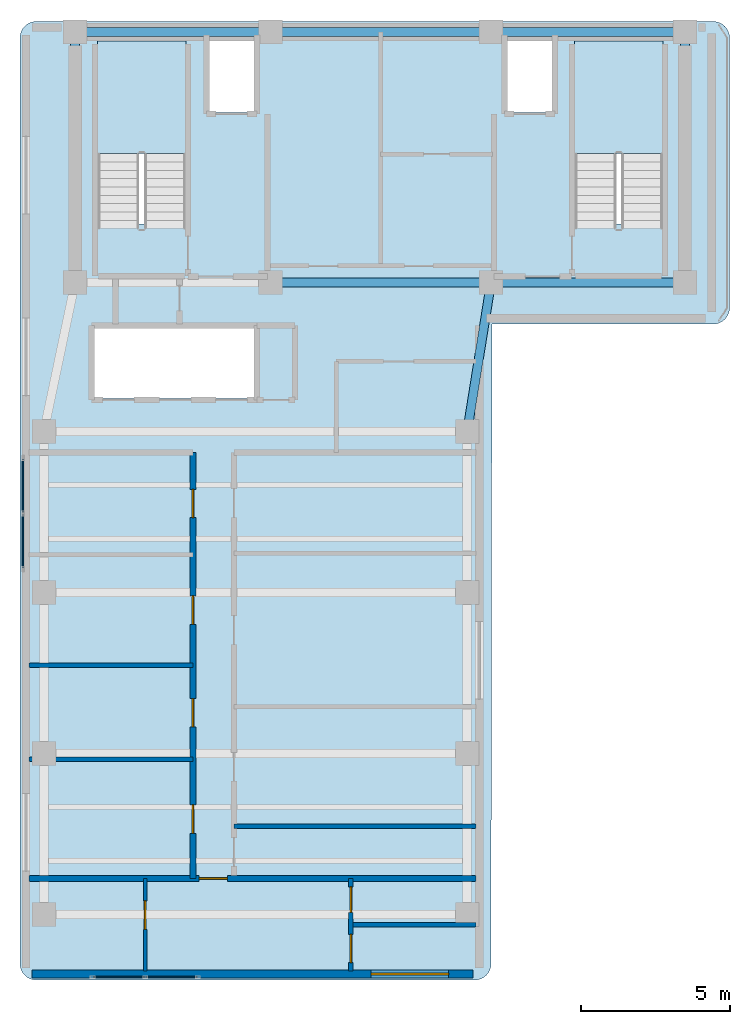
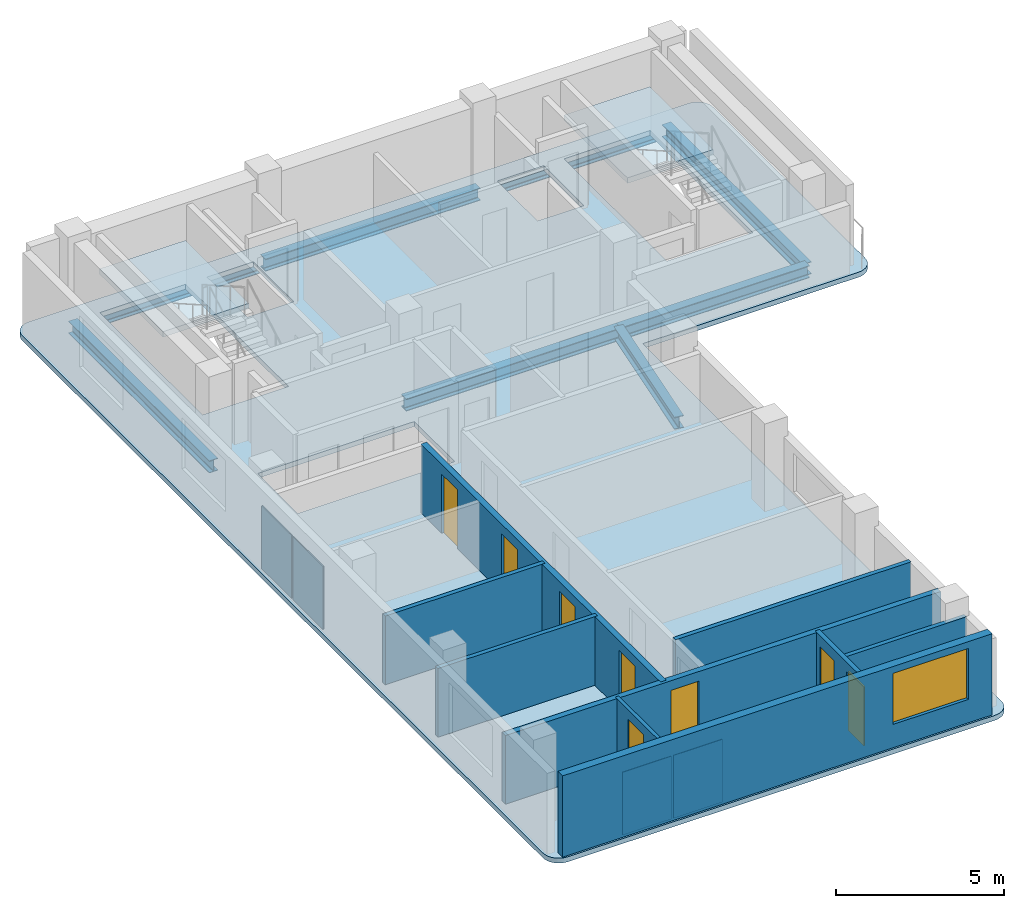
# One storey, part 6 of 9: 9 walls, 8 beams, 8 doors, 4 plates, 3 slabs, 1 window, 9 openings, 4 elements without a shape of their own.
"""IFC4 building model written with IfcOpenShell, lengths in metres."""

from ifc_helpers import new_model, si_unit, direction, frame, frame_2d, origin, origin_2d, place, context, subcontext, project, spatial, polyline, rectangle, i_section, outline, extrude, material, layer, layer_set, material_profile, profile_set, type_object, element, fill, aggregate, save


model = new_model("IFC4")

# Units and contexts
model_context = context("Model", 3, precision=1e-05, world=origin(), true_north=direction((0.0, 1.0)))
body_context = subcontext(model_context, "Body", "Model", "MODEL_VIEW")
ifc_project = project(units=[si_unit("LENGTHUNIT", "METRE"), si_unit("AREAUNIT", "SQUARE_METRE"), si_unit("VOLUMEUNIT", "CUBIC_METRE"), si_unit("PLANEANGLEUNIT", "RADIAN"), si_unit("MASSUNIT", "GRAM", prefix="KILO")], contexts=[model_context])

# Site, building, storey
site_placement = place(None, origin())
site = spatial("IfcSite", under=ifc_project, at=site_placement, CompositionType="ELEMENT")
building_placement = place(site_placement, origin())
building = spatial("IfcBuilding", under=site, at=building_placement, Name="Kuzgunbayir Cultural Tower", CompositionType="ELEMENT")
storey_placement = place(building_placement, frame((0.0, 0.0, 247.199951171875)))
storey = spatial("IfcBuildingStorey", under=building, at=storey_placement, Name="L73", CompositionType="ELEMENT", Elevation=247.199951171875)

# Beams
ifc_material_1 = material(Name="Steel S355J2", Category="steel")
ifc_material_profile = material_profile(ifc_material_1, i_section(OverallWidth=0.300048828125, OverallDepth=0.449951171875, WebThickness=0.013916015625, FlangeThickness=0.02587890625, FilletRadius=0.027099609375, at=origin_2d()), Name="HEB 450")
ifc_profile_set = profile_set([ifc_material_profile], Name="Steel S355J2")
beam_type = type_object("IfcBeamType", Name="BM-GIR-HEB450", PredefinedType="BEAM", material=ifc_profile_set)
beam_1_placement = place(storey_placement, frame((13.0, 33.800048828125, -0.39990234375), z_axis=(1.0, 0.0, 0.0), x_axis=(0.0, 1.0, 0.0)))
element("IfcBeam", 1, at=beam_1_placement, inside=storey, type_object=beam_type, Name="L73 Core South Girder 2", PredefinedType="BEAM", context=body_context, shape_type="SweptSolid", body=[
    extrude(i_section(OverallWidth=0.300048828125, OverallDepth=0.449951171875, WebThickness=0.013916015625, FlangeThickness=0.02587890625, FilletRadius=0.027099609375, at=origin_2d()), origin(), (0.0, 0.0, 1.0), 7.39990234375),
])
beam_2_placement = place(storey_placement, frame((20.39990234375, 33.800048828125, -0.39990234375), z_axis=(1.0, 0.0, 0.0), x_axis=(0.0, 1.0, 0.0)))
element("IfcBeam", 2, at=beam_2_placement, inside=storey, type_object=beam_type, Name="L73 Core South Girder 3", PredefinedType="BEAM", context=body_context, shape_type="SweptSolid", body=[
    extrude(i_section(OverallWidth=0.300048828125, OverallDepth=0.449951171875, WebThickness=0.013916015625, FlangeThickness=0.02587890625, FilletRadius=0.027099609375, at=origin_2d()), origin(), (0.0, 0.0, 1.0), 6.5),
])
beam_3_placement = place(storey_placement, frame((6.449951171875, 42.199951171875, -0.39990234375), z_axis=(1.0, 0.0, 0.0), x_axis=(0.0, 1.0, 0.0)))
element("IfcBeam", 3, at=beam_3_placement, inside=storey, type_object=beam_type, Name="L73 Core North Girder 1", PredefinedType="BEAM", context=body_context, shape_type="SweptSolid", body=[
    extrude(i_section(OverallWidth=0.300048828125, OverallDepth=0.449951171875, WebThickness=0.013916015625, FlangeThickness=0.02587890625, FilletRadius=0.027099609375, at=origin_2d()), origin(), (0.0, 0.0, 1.0), 6.550048828125),
])
beam_4_placement = place(storey_placement, frame((13.0, 42.199951171875, -0.39990234375), z_axis=(1.0, 0.0, 0.0), x_axis=(0.0, 1.0, 0.0)))
element("IfcBeam", 4, at=beam_4_placement, inside=storey, type_object=beam_type, Name="L73 Core North Girder 2", PredefinedType="BEAM", context=body_context, shape_type="SweptSolid", body=[
    extrude(i_section(OverallWidth=0.300048828125, OverallDepth=0.449951171875, WebThickness=0.013916015625, FlangeThickness=0.02587890625, FilletRadius=0.027099609375, at=origin_2d()), origin(), (0.0, 0.0, 1.0), 7.39990234375),
])
beam_5_placement = place(storey_placement, frame((20.39990234375, 42.199951171875, -0.39990234375), z_axis=(1.0, 0.0, 0.0), x_axis=(0.0, 1.0, 0.0)))
element("IfcBeam", 5, at=beam_5_placement, inside=storey, type_object=beam_type, Name="L73 Core North Girder 3", PredefinedType="BEAM", context=body_context, shape_type="SweptSolid", body=[
    extrude(i_section(OverallWidth=0.300048828125, OverallDepth=0.449951171875, WebThickness=0.013916015625, FlangeThickness=0.02587890625, FilletRadius=0.027099609375, at=origin_2d()), origin(), (0.0, 0.0, 1.0), 6.5),
])
for number, where, z_axis, x_axis, name in (
    (6, (6.449951171875, 33.800048828125, -0.39990234375), (0.0, 1.0, 0.0), (-1.0, 0.0, 0.0), "L73 Core West Edge Girder"),
    (7, (26.89990234375, 33.800048828125, -0.39990234375), (0.0, 1.0, 0.0), (-1.0, 0.0, 0.0), "L73 Core East Edge Girder"),
):
    element("IfcBeam", number, at=place(storey_placement, frame(where, z_axis=z_axis, x_axis=x_axis)), inside=storey, type_object=beam_type, Name=name, PredefinedType="BEAM", context=body_context, shape_type="SweptSolid", body=[
        extrude(i_section(OverallWidth=0.300048828125, OverallDepth=0.449951171875, WebThickness=0.013916015625, FlangeThickness=0.02587890625, FilletRadius=0.027099609375, at=origin_2d()), origin(), (0.0, 0.0, 1.0), 8.39990234375),
    ])
beam_6_placement = place(storey_placement, frame((19.60009765625, 28.800048828125, -0.39990234375), z_axis=(0.157952891656, 0.987446648694, 0.0), x_axis=(-0.987446648694, 0.157952891656, 0.0)))
element("IfcBeam", 8, at=beam_6_placement, inside=storey, type_object=beam_type, Name="L73 Wing A East Core Floor Girder", PredefinedType="BEAM", context=body_context, shape_type="SweptSolid", body=[
    extrude(i_section(OverallWidth=0.300048828125, OverallDepth=0.449951171875, WebThickness=0.013916015625, FlangeThickness=0.02587890625, FilletRadius=0.027099609375, at=origin_2d()), origin(), (0.0, 0.0, 1.0), 5.0634765625),
])

# Curtain wall, plates
ifc_material_2 = material(Name="Anodised Aluminium Framing", Category="aluminium")
curtain_wall_type = type_object("IfcCurtainWallType", Name="CW06-OBSERVATORY", PredefinedType="NOTDEFINED", material=ifc_material_2)
curtain_wall_1_placement = place(storey_placement, origin())
curtain_wall_1 = element("IfcCurtainWall", 9, at=curtain_wall_1_placement, inside=storey, type_object=curtain_wall_type, Name="L73 Crown Observatory South Curtain Wall", PredefinedType="NOTDEFINED")
ifc_material_3 = material(Name="Solar-Control Triple Glazing", Category="glass")
ifc_layer_1 = layer(ifc_material_3, 0.035888671875)
ifc_layer_set_1 = layer_set([ifc_layer_1], Name="Solar-Control Triple Glazing")
plate_type = type_object("IfcPlateType", Name="PLT-CW-GLASS-36", PredefinedType="CURTAIN_PANEL", material=ifc_layer_set_1)
plate_1_placement = place(storey_placement, frame((7.918701171875, 10.5, 0.06005859375), z_axis=(0.0, 0.0, 1.0), x_axis=(1.0, 0.0, 0.0)))
plate_1 = element("IfcPlate", 10, at=plate_1_placement, type_object=plate_type, Name="CW06 panel 1.1", PredefinedType="CURTAIN_PANEL", context=body_context, shape_type="SweptSolid", body=[
    extrude(rectangle(XDim=1.6875, YDim=0.035888671875, at=origin_2d()), origin(), (0.0, 0.0, 1.0), 2.2900390625),
])
plate_2_placement = place(storey_placement, frame((9.68115234375, 10.5, 0.06005859375), z_axis=(0.0, 0.0, 1.0), x_axis=(1.0, 0.0, 0.0)))
plate_2 = element("IfcPlate", 11, at=plate_2_placement, type_object=plate_type, Name="CW06 panel 2.1", PredefinedType="CURTAIN_PANEL", context=body_context, shape_type="SweptSolid", body=[
    extrude(rectangle(XDim=1.6875, YDim=0.035888671875, at=origin_2d()), origin(), (0.0, 0.0, 1.0), 2.2900390625),
])
aggregate(curtain_wall_1, [plate_1, plate_2])

curtain_wall_2_placement = place(storey_placement, origin())
curtain_wall_2 = element("IfcCurtainWall", 12, at=curtain_wall_2_placement, inside=storey, type_object=curtain_wall_type, Name="L73 Crown Observatory West Curtain Wall", PredefinedType="NOTDEFINED")
plate_3_placement = place(storey_placement, frame((4.699951171875, 25.11865234375, 0.06005859375), z_axis=(0.0, 0.0, 1.0), x_axis=(0.0, 1.0, 0.0)))
plate_3 = element("IfcPlate", 13, at=plate_3_placement, type_object=plate_type, Name="CW06 panel 1.1", PredefinedType="CURTAIN_PANEL", context=body_context, shape_type="SweptSolid", body=[
    extrude(rectangle(XDim=1.78759765625, YDim=0.035888671875, at=origin_2d()), origin(), (0.0, 0.0, 1.0), 2.2900390625),
])
plate_4_placement = place(storey_placement, frame((4.699951171875, 26.981201171875, 0.06005859375), z_axis=(0.0, 0.0, 1.0), x_axis=(0.0, 1.0, 0.0)))
plate_4 = element("IfcPlate", 14, at=plate_4_placement, type_object=plate_type, Name="CW06 panel 2.1", PredefinedType="CURTAIN_PANEL", context=body_context, shape_type="SweptSolid", body=[
    extrude(rectangle(XDim=1.78759765625, YDim=0.035888671875, at=origin_2d()), origin(), (0.0, 0.0, 1.0), 2.2900390625),
])
aggregate(curtain_wall_2, [plate_3, plate_4])

# Stair, slab
ifc_material_4 = material(Name="Concrete C40/50", Category="concrete")
stair_type = type_object("IfcStairType", Name="STR-EXIT-CORE", PredefinedType="HALF_TURN_STAIR", material=ifc_material_4)
stair_1_placement = place(storey_placement, origin())
stair_1 = element("IfcStair", 15, at=stair_1_placement, inside=storey, type_object=stair_type, Name="L73 ST-1", PredefinedType="HALF_TURN_STAIR")
ifc_layer_2 = layer(ifc_material_4, 0.179931640625)
ifc_layer_set_2 = layer_set([ifc_layer_2], Name="Concrete C40/50")
slab_type_1 = type_object("IfcSlabType", Name="SLB-LANDING-180", PredefinedType="LANDING", material=ifc_layer_set_2)
slab_1_placement = place(storey_placement, frame((0.0, 0.0, 1.400146484375)))
slab_1 = element("IfcSlab", 16, at=slab_1_placement, type_object=slab_type_1, Name="ST-1 landing 1", PredefinedType="LANDING", context=body_context, shape_type="SweptSolid", body=[
    extrude(outline(polyline([(10.159912109375, 38.1201171875), (10.159912109375, 41.89990234375), (7.199951171875, 41.89990234375), (7.199951171875, 38.1201171875), (10.159912109375, 38.1201171875)])), origin(), (0.0, 0.0, 1.0), 0.199951171875),
])
aggregate(stair_1, [slab_1])

stair_2_placement = place(storey_placement, origin())
stair_2 = element("IfcStair", 17, at=stair_2_placement, inside=storey, type_object=stair_type, Name="L73 ST-2", PredefinedType="HALF_TURN_STAIR")
slab_2_placement = place(storey_placement, frame((0.0, 0.0, 1.400146484375)))
slab_2 = element("IfcSlab", 18, at=slab_2_placement, type_object=slab_type_1, Name="ST-2 landing 1", PredefinedType="LANDING", context=body_context, shape_type="SweptSolid", body=[
    extrude(outline(polyline([(26.159912109375, 38.1201171875), (26.159912109375, 41.89990234375), (23.199951171875, 41.89990234375), (23.199951171875, 38.1201171875), (26.159912109375, 38.1201171875)])), origin(), (0.0, 0.0, 1.0), 0.199951171875),
])
aggregate(stair_2, [slab_2])

# Slab
ifc_layer_3 = layer(ifc_material_4, 0.179931640625)
ifc_layer_set_3 = layer_set([ifc_layer_3], Name="Concrete C40/50")
slab_type_2 = type_object("IfcSlabType", Name="SLB-TYP-180", PredefinedType="FLOOR", material=ifc_layer_set_3)
slab_3_placement = place(storey_placement, frame((0.0, 0.0, -0.179931640625)))
element("IfcSlab", 19, at=slab_3_placement, inside=storey, type_object=slab_type_2, Name="L73 Tower 1 Floor Slab T1-MAIN", PredefinedType="FLOOR", context=body_context, shape_type="SweptSolid", body=[
    extrude(outline(polyline([(20.39990234375, 10.949951171875), (20.389892578125, 10.840087890625), (20.360107421875, 10.739990234375), (20.31005859375, 10.639892578125), (20.239990234375, 10.56005859375), (20.159912109375, 10.489990234375), (20.06005859375, 10.43994140625), (19.9599609375, 10.409912109375), (19.85009765625, 10.39990234375), (5.14990234375, 10.39990234375), (5.0400390625, 10.409912109375), (4.93994140625, 10.43994140625), (4.840087890625, 10.489990234375), (4.760009765625, 10.56005859375), (4.68994140625, 10.639892578125), (4.639892578125, 10.739990234375), (4.610107421875, 10.840087890625), (4.60009765625, 10.949951171875), (4.60009765625, 42.0), (4.610107421875, 42.110107421875), (4.639892578125, 42.2099609375), (4.68994140625, 42.31005859375), (4.760009765625, 42.389892578125), (4.840087890625, 42.4599609375), (4.93994140625, 42.510009765625), (5.0400390625, 42.5400390625), (5.14990234375, 42.550048828125), (27.85009765625, 42.550048828125), (27.9599609375, 42.5400390625), (28.06005859375, 42.510009765625), (28.159912109375, 42.4599609375), (28.239990234375, 42.389892578125), (28.31005859375, 42.31005859375), (28.360107421875, 42.2099609375), (28.389892578125, 42.110107421875), (28.39990234375, 42.0), (28.39990234375, 32.949951171875), (28.389892578125, 32.840087890625), (28.360107421875, 32.739990234375), (28.31005859375, 32.639892578125), (28.239990234375, 32.56005859375), (28.159912109375, 32.489990234375), (28.06005859375, 32.43994140625), (27.9599609375, 32.409912109375), (27.85009765625, 32.39990234375), (20.429931640625, 32.39990234375), (20.39990234375, 10.949951171875)]), holes=[polyline([(7.199951171875, 35.760009765625), (7.199951171875, 41.89990234375), (10.159912109375, 41.89990234375), (10.159912109375, 35.760009765625), (7.199951171875, 35.760009765625)]), polyline([(23.199951171875, 35.760009765625), (23.199951171875, 41.89990234375), (26.159912109375, 41.89990234375), (26.159912109375, 35.760009765625), (23.199951171875, 35.760009765625)]), polyline([(7.10009765625, 29.89990234375), (7.10009765625, 32.300048828125), (12.5, 32.300048828125), (12.5, 29.89990234375), (7.10009765625, 29.89990234375)]), polyline([(10.89990234375, 39.5), (10.89990234375, 41.89990234375), (12.5, 41.89990234375), (12.5, 39.5), (10.89990234375, 39.5)]), polyline([(20.89990234375, 39.5), (20.89990234375, 41.89990234375), (22.5, 41.89990234375), (22.5, 39.5), (20.89990234375, 39.5)])]), origin(), (0.0, 0.0, 1.0), 0.179931640625),
])

# Wall, opening, window
ifc_material_5 = material(Name="Anatolian Cream Limestone", Category="masonry")
ifc_layer_4 = layer(ifc_material_5, 0.280029296875)
ifc_layer_set_4 = layer_set([ifc_layer_4], Name="Anatolian Cream Limestone")
wall_type_1 = type_object("IfcWallType", Name="WAL-EXT-STONE-280", PredefinedType="STANDARD", material=ifc_layer_set_4)
wall_1_placement = place(storey_placement, frame((5.0, 10.60009765625, 0.0), z_axis=(0.0, 0.0, 1.0), x_axis=(1.0, 0.0, 0.0)))
wall_1 = element("IfcWall", 20, at=wall_1_placement, inside=storey, type_object=wall_type_1, Name="L73 Wing A South Limestone Wall", PredefinedType="STANDARD", context=body_context, shape_type="SweptSolid", body=[
    extrude(rectangle(XDim=14.800048828125, YDim=0.280029296875, at=frame_2d((7.39990234375, 0.0))), origin(), (0.0, 0.0, 1.0), 2.9599609375),
])
opening_1_placement = place(wall_1_placement, frame((11.3798828125, 0.0, 0.85009765625)))
opening_1 = element("IfcOpeningElement", 21, at=opening_1_placement, cuts=wall_1, Name="Opening WK-26", PredefinedType="OPENING", context=body_context, shape_type="SweptSolid", body=[
    extrude(rectangle(XDim=2.60009765625, YDim=1.860107421875, at=frame_2d((1.300048828125, 0.93017578125))), frame((0.0, 0.14990234375, 0.0), z_axis=(0.0, -1.0, 0.0), x_axis=(1.0, 0.0, 0.0)), (0.0, 0.0, 1.0), 0.300048828125),
])
window_type = type_object("IfcWindowType", Name="WIN-CROWN-26", PartitioningType="SINGLE_PANEL", PredefinedType="WINDOW", material=ifc_material_3)
window_placement = place(opening_1_placement, origin())
window = element("IfcWindow", 22, at=window_placement, inside=storey, type_object=window_type, Name="L73 WAS Facade Window 1", OverallHeight=1.860107421875, OverallWidth=2.60009765625, PartitioningType="SINGLE_PANEL", PredefinedType="WINDOW", context=body_context, shape_type="SweptSolid", body=[
    extrude(rectangle(XDim=2.60009765625, YDim=1.860107421875, at=frame_2d((1.300048828125, 0.93017578125))), frame((0.0, 0.030029296875, 0.0), z_axis=(0.0, -1.0, 0.0), x_axis=(1.0, 0.0, 0.0)), (0.0, 0.0, 1.0), 0.06005859375),
])
fill(opening_1, window)

# Walls
ifc_material_6 = material(Name="Acoustic Double-Stud Drywall", Category="gypsum")
ifc_layer_5 = layer(ifc_material_6, 0.14990234375)
ifc_layer_set_5 = layer_set([ifc_layer_5], Name="Acoustic Double-Stud Drywall")
wall_type_2 = type_object("IfcWallType", Name="WAL-PART-ACOUSTIC-150", PredefinedType="PARTITIONING", material=ifc_layer_set_5)
for number, where, z_axis, x_axis, name in (
    (23, (4.89990234375, 17.800048828125, 0.0), (0.0, 0.0, 1.0), (1.0, 0.0, 0.0), "L73 West Study Partition 1"),
    (24, (4.89990234375, 20.949951171875, 0.0), (0.0, 0.0, 1.0), (1.0, 0.0, 0.0), "L73 West Study Partition 2"),
):
    element("IfcWall", number, at=place(storey_placement, frame(where, z_axis=z_axis, x_axis=x_axis)), inside=storey, type_object=wall_type_2, Name=name, PredefinedType="PARTITIONING", context=body_context, shape_type="SweptSolid", body=[
        extrude(rectangle(XDim=5.5, YDim=0.14990234375, at=frame_2d((2.75, 0.0))), origin(), (0.0, 0.0, 1.0), 2.5),
    ])

# Wall, openings, doors
ifc_material_7 = material(Name="Aerated Concrete Blockwork", Category="masonry")
ifc_layer_6 = layer(ifc_material_7, 0.199951171875)
ifc_layer_set_6 = layer_set([ifc_layer_6], Name="Aerated Concrete Blockwork")
wall_type_3 = type_object("IfcWallType", Name="WAL-PART-FIRE-200", PredefinedType="PARTITIONING", material=ifc_layer_set_6)
wall_2_placement = place(storey_placement, frame((10.39990234375, 13.800048828125, 0.0), z_axis=(0.0, 0.0, 1.0), x_axis=(0.0, 1.0, 0.0)))
wall_2 = element("IfcWall", 25, at=wall_2_placement, inside=storey, type_object=wall_type_3, Name="L73 Wing A West Corridor Wall", PredefinedType="PARTITIONING", context=body_context, shape_type="SweptSolid", body=[
    extrude(rectangle(XDim=14.300048828125, YDim=0.199951171875, at=frame_2d((7.14990234375, 0.0))), origin(), (0.0, 0.0, 1.0), 2.5),
])
opening_2_placement = place(wall_2_placement, frame((1.52001953125, 0.0, 0.0)))
opening_2 = element("IfcOpeningElement", 26, at=opening_2_placement, cuts=wall_2, Name="Opening DI-90", PredefinedType="OPENING", context=body_context, shape_type="SweptSolid", body=[
    extrude(rectangle(XDim=0.949951171875, YDim=2.14990234375, at=frame_2d((0.47509765625, 1.074951171875))), frame((0.0, 0.10986328125, 0.0), z_axis=(0.0, -1.0, 0.0), x_axis=(1.0, 0.0, 0.0)), (0.0, 0.0, 1.0), 0.219970703125),
])
opening_3_placement = place(wall_2_placement, frame((5.090087890625, 0.0, 0.0)))
opening_3 = element("IfcOpeningElement", 27, at=opening_3_placement, cuts=wall_2, Name="Opening DI-90", PredefinedType="OPENING", context=body_context, shape_type="SweptSolid", body=[
    extrude(rectangle(XDim=0.949951171875, YDim=2.14990234375, at=frame_2d((0.47509765625, 1.074951171875))), frame((0.0, 0.10986328125, 0.0), z_axis=(0.0, -1.0, 0.0), x_axis=(1.0, 0.0, 0.0)), (0.0, 0.0, 1.0), 0.219970703125),
])
opening_4_placement = place(wall_2_placement, frame((8.530029296875, 0.0, 0.0)))
opening_4 = element("IfcOpeningElement", 28, at=opening_4_placement, cuts=wall_2, Name="Opening DI-90", PredefinedType="OPENING", context=body_context, shape_type="SweptSolid", body=[
    extrude(rectangle(XDim=0.949951171875, YDim=2.14990234375, at=frame_2d((0.47509765625, 1.074951171875))), frame((0.0, 0.10986328125, 0.0), z_axis=(0.0, -1.0, 0.0), x_axis=(1.0, 0.0, 0.0)), (0.0, 0.0, 1.0), 0.219970703125),
])
opening_5_placement = place(wall_2_placement, frame((12.110107421875, 0.0, 0.0)))
opening_5 = element("IfcOpeningElement", 29, at=opening_5_placement, cuts=wall_2, Name="Opening DI-90", PredefinedType="OPENING", context=body_context, shape_type="SweptSolid", body=[
    extrude(rectangle(XDim=0.949951171875, YDim=2.14990234375, at=frame_2d((0.47509765625, 1.074951171875))), frame((0.0, 0.10986328125, 0.0), z_axis=(0.0, -1.0, 0.0), x_axis=(1.0, 0.0, 0.0)), (0.0, 0.0, 1.0), 0.219970703125),
])
ifc_material_8 = material(Name="Veneered Oak Single Leaf", Category="wood")
door_type_1 = type_object("IfcDoorType", Name="DR-INT-90", OperationType="NOTDEFINED", PredefinedType="DOOR", material=ifc_material_8)
door_1_placement = place(opening_2_placement, origin())
door_1 = element("IfcDoor", 30, at=door_1_placement, inside=storey, type_object=door_type_1, Name="L73 Seminar Boardroom W1 Door", OperationType="SINGLE_SWING_RIGHT", OverallHeight=2.14990234375, OverallWidth=0.949951171875, PredefinedType="DOOR", context=body_context, shape_type="SweptSolid", body=[
    extrude(rectangle(XDim=0.949951171875, YDim=2.14990234375, at=frame_2d((0.47509765625, 1.074951171875))), frame((0.0, 0.02490234375, 0.0), z_axis=(0.0, -1.0, 0.0), x_axis=(1.0, 0.0, 0.0)), (0.0, 0.0, 1.0), 0.050048828125),
])
fill(opening_2, door_1)
door_2_placement = place(opening_3_placement, origin())
door_2 = element("IfcDoor", 31, at=door_2_placement, inside=storey, type_object=door_type_1, Name="L73 Seminar Boardroom W2 Door", OperationType="SINGLE_SWING_LEFT", OverallHeight=2.14990234375, OverallWidth=0.949951171875, PredefinedType="DOOR", context=body_context, shape_type="SweptSolid", body=[
    extrude(rectangle(XDim=0.949951171875, YDim=2.14990234375, at=frame_2d((0.47509765625, 1.074951171875))), frame((0.0, 0.02490234375, 0.0), z_axis=(0.0, -1.0, 0.0), x_axis=(1.0, 0.0, 0.0)), (0.0, 0.0, 1.0), 0.050048828125),
])
fill(opening_3, door_2)
door_3_placement = place(opening_4_placement, origin())
door_3 = element("IfcDoor", 32, at=door_3_placement, inside=storey, type_object=door_type_1, Name="L73 Seminar Boardroom W3 Door", OperationType="SINGLE_SWING_RIGHT", OverallHeight=2.14990234375, OverallWidth=0.949951171875, PredefinedType="DOOR", context=body_context, shape_type="SweptSolid", body=[
    extrude(rectangle(XDim=0.949951171875, YDim=2.14990234375, at=frame_2d((0.47509765625, 1.074951171875))), frame((0.0, 0.02490234375, 0.0), z_axis=(0.0, -1.0, 0.0), x_axis=(1.0, 0.0, 0.0)), (0.0, 0.0, 1.0), 0.050048828125),
])
fill(opening_4, door_3)
door_4_placement = place(opening_5_placement, origin())
door_4 = element("IfcDoor", 33, at=door_4_placement, inside=storey, type_object=door_type_1, Name="L73 Art Publication Salon W4 Door", OperationType="SINGLE_SWING_LEFT", OverallHeight=2.14990234375, OverallWidth=0.949951171875, PredefinedType="DOOR", context=body_context, shape_type="SweptSolid", body=[
    extrude(rectangle(XDim=0.949951171875, YDim=2.14990234375, at=frame_2d((0.47509765625, 1.074951171875))), frame((0.0, 0.02490234375, 0.0), z_axis=(0.0, -1.0, 0.0), x_axis=(1.0, 0.0, 0.0)), (0.0, 0.0, 1.0), 0.050048828125),
])
fill(opening_5, door_4)

# Wall, opening, door
wall_3_placement = place(storey_placement, frame((4.89990234375, 13.800048828125, 0.0), z_axis=(0.0, 0.0, 1.0), x_axis=(1.0, 0.0, 0.0)))
wall_3 = element("IfcWall", 34, at=wall_3_placement, inside=storey, type_object=wall_type_3, Name="L73 South Cross Partition", PredefinedType="PARTITIONING", context=body_context, shape_type="SweptSolid", body=[
    extrude(rectangle(XDim=15.0, YDim=0.199951171875, at=frame_2d((7.5, 0.0))), origin(), (0.0, 0.0, 1.0), 2.5),
])
opening_6_placement = place(wall_3_placement, frame((5.7099609375, 0.0, 0.0)))
opening_6 = element("IfcOpeningElement", 35, at=opening_6_placement, cuts=wall_3, Name="Opening DR-APT-60", PredefinedType="OPENING", context=body_context, shape_type="SweptSolid", body=[
    extrude(rectangle(XDim=0.949951171875, YDim=2.14990234375, at=frame_2d((0.47509765625, 1.074951171875))), frame((0.0, 0.10986328125, 0.0), z_axis=(0.0, -1.0, 0.0), x_axis=(1.0, 0.0, 0.0)), (0.0, 0.0, 1.0), 0.219970703125),
])
ifc_material_9 = material(Name="Acoustic Fire Timber Leaf", Category="wood")
door_type_2 = type_object("IfcDoorType", Name="DR-APT-60", OperationType="NOTDEFINED", PredefinedType="DOOR", material=ifc_material_9)
door_5_placement = place(opening_6_placement, origin())
door_5 = element("IfcDoor", 36, at=door_5_placement, inside=storey, type_object=door_type_2, Name="L73 Apartment A Entrance", OperationType="SINGLE_SWING_RIGHT", OverallHeight=2.14990234375, OverallWidth=0.949951171875, PredefinedType="DOOR", context=body_context, shape_type="SweptSolid", body=[
    extrude(rectangle(XDim=0.949951171875, YDim=2.14990234375, at=frame_2d((0.47509765625, 1.074951171875))), frame((0.0, 0.02490234375, 0.0), z_axis=(0.0, -1.0, 0.0), x_axis=(1.0, 0.0, 0.0)), (0.0, 0.0, 1.0), 0.050048828125),
])
fill(opening_6, door_5)

ifc_material_10 = material(Name="Framed Gypsum Partition", Category="gypsum")
ifc_layer_7 = layer(ifc_material_10, 0.1201171875)
ifc_layer_set_7 = layer_set([ifc_layer_7], Name="Framed Gypsum Partition")
wall_type_4 = type_object("IfcWallType", Name="WAL-PART-INT-120", PredefinedType="PARTITIONING", material=ifc_layer_set_7)
wall_4_placement = place(storey_placement, frame((8.800048828125, 10.699951171875, 0.0), z_axis=(0.0, 0.0, 1.0), x_axis=(0.0, 1.0, 0.0)))
wall_4 = element("IfcWall", 37, at=wall_4_placement, inside=storey, type_object=wall_type_4, Name="L73 Flat A West Bedroom Wall", PredefinedType="PARTITIONING", context=body_context, shape_type="SweptSolid", body=[
    extrude(rectangle(XDim=3.10009765625, YDim=0.1201171875, at=frame_2d((1.550048828125, 0.0))), origin(), (0.0, 0.0, 1.0), 2.5),
])
opening_7_placement = place(wall_4_placement, frame((1.39990234375, 0.0, 0.0)))
opening_7 = element("IfcOpeningElement", 38, at=opening_7_placement, cuts=wall_4, Name="Opening DI-90", PredefinedType="OPENING", context=body_context, shape_type="SweptSolid", body=[
    extrude(rectangle(XDim=0.949951171875, YDim=2.14990234375, at=frame_2d((0.47509765625, 1.074951171875))), frame((0.0, 0.070068359375, 0.0), z_axis=(0.0, -1.0, 0.0), x_axis=(1.0, 0.0, 0.0)), (0.0, 0.0, 1.0), 0.14013671875),
])
door_6_placement = place(opening_7_placement, origin())
door_6 = element("IfcDoor", 39, at=door_6_placement, inside=storey, type_object=door_type_1, Name="L73 Apartment A Bedroom Door", OperationType="SINGLE_SWING_LEFT", OverallHeight=2.14990234375, OverallWidth=0.949951171875, PredefinedType="DOOR", context=body_context, shape_type="SweptSolid", body=[
    extrude(rectangle(XDim=0.949951171875, YDim=2.14990234375, at=frame_2d((0.47509765625, 1.074951171875))), frame((0.0, 0.02490234375, 0.0), z_axis=(0.0, -1.0, 0.0), x_axis=(1.0, 0.0, 0.0)), (0.0, 0.0, 1.0), 0.050048828125),
])
fill(opening_7, door_6)

# Wall, openings, doors
ifc_material_11 = material(Name="Moisture-Resistant Tile Partition", Category="gypsum")
ifc_layer_8 = layer(ifc_material_11, 0.14990234375)
ifc_layer_set_8 = layer_set([ifc_layer_8], Name="Moisture-Resistant Tile Partition")
wall_type_5 = type_object("IfcWallType", Name="WAL-PART-WET-150", PredefinedType="PARTITIONING", material=ifc_layer_set_8)
wall_5_placement = place(storey_placement, frame((15.699951171875, 10.699951171875, 0.0), z_axis=(0.0, 0.0, 1.0), x_axis=(0.0, 1.0, 0.0)))
wall_5 = element("IfcWall", 40, at=wall_5_placement, inside=storey, type_object=wall_type_5, Name="L73 Flat A East Service Wall", PredefinedType="PARTITIONING", context=body_context, shape_type="SweptSolid", body=[
    extrude(rectangle(XDim=3.10009765625, YDim=0.14990234375, at=frame_2d((1.550048828125, 0.0))), origin(), (0.0, 0.0, 1.0), 2.5),
])
opening_8_placement = place(wall_5_placement, frame((0.280029296875, 0.0, 0.0)))
opening_8 = element("IfcOpeningElement", 41, at=opening_8_placement, cuts=wall_5, Name="Opening DI-90", PredefinedType="OPENING", context=body_context, shape_type="SweptSolid", body=[
    extrude(rectangle(XDim=0.949951171875, YDim=2.14990234375, at=frame_2d((0.47509765625, 1.074951171875))), frame((0.0, 0.0849609375, 0.0), z_axis=(0.0, -1.0, 0.0), x_axis=(1.0, 0.0, 0.0)), (0.0, 0.0, 1.0), 0.169921875),
])
opening_9_placement = place(wall_5_placement, frame((1.969970703125, 0.0, 0.0)))
opening_9 = element("IfcOpeningElement", 42, at=opening_9_placement, cuts=wall_5, Name="Opening DW-85", PredefinedType="OPENING", context=body_context, shape_type="SweptSolid", body=[
    extrude(rectangle(XDim=0.85009765625, YDim=2.10009765625, at=frame_2d((0.425048828125, 1.050048828125))), frame((0.0, 0.0849609375, 0.0), z_axis=(0.0, -1.0, 0.0), x_axis=(1.0, 0.0, 0.0)), (0.0, 0.0, 1.0), 0.169921875),
])
door_7_placement = place(opening_8_placement, origin())
door_7 = element("IfcDoor", 43, at=door_7_placement, inside=storey, type_object=door_type_1, Name="L73 Apartment A Kitchen Door", OperationType="SINGLE_SWING_RIGHT", OverallHeight=2.14990234375, OverallWidth=0.949951171875, PredefinedType="DOOR", context=body_context, shape_type="SweptSolid", body=[
    extrude(rectangle(XDim=0.949951171875, YDim=2.14990234375, at=frame_2d((0.47509765625, 1.074951171875))), frame((0.0, 0.02490234375, 0.0), z_axis=(0.0, -1.0, 0.0), x_axis=(1.0, 0.0, 0.0)), (0.0, 0.0, 1.0), 0.050048828125),
])
fill(opening_8, door_7)
ifc_material_12 = material(Name="Laminate Moisture-Resistant Leaf", Category="wood")
door_type_3 = type_object("IfcDoorType", Name="DR-WET-85", OperationType="NOTDEFINED", PredefinedType="DOOR", material=ifc_material_12)
door_8_placement = place(opening_9_placement, origin())
door_8 = element("IfcDoor", 44, at=door_8_placement, inside=storey, type_object=door_type_3, Name="L73 Apartment A Bathroom Door", OperationType="SINGLE_SWING_LEFT", OverallHeight=2.10009765625, OverallWidth=0.85009765625, PredefinedType="DOOR", context=body_context, shape_type="SweptSolid", body=[
    extrude(rectangle(XDim=0.85009765625, YDim=2.10009765625, at=frame_2d((0.425048828125, 1.050048828125))), frame((0.0, 0.02490234375, 0.0), z_axis=(0.0, -1.0, 0.0), x_axis=(1.0, 0.0, 0.0)), (0.0, 0.0, 1.0), 0.050048828125),
])
fill(opening_9, door_8)

# Walls
wall_6_placement = place(storey_placement, frame((15.699951171875, 12.25, 0.0), z_axis=(0.0, 0.0, 1.0), x_axis=(1.0, 0.0, 0.0)))
element("IfcWall", 45, at=wall_6_placement, inside=storey, type_object=wall_type_5, Name="L73 Flat A Bath Kitchen Divider", PredefinedType="PARTITIONING", context=body_context, shape_type="SweptSolid", body=[
    extrude(rectangle(XDim=4.199951171875, YDim=0.14990234375, at=frame_2d((2.10009765625, 0.0))), origin(), (0.0, 0.0, 1.0), 2.5),
])
wall_7_placement = place(storey_placement, frame((11.780029296875, 15.550048828125, 0.0), z_axis=(0.0, 0.0, 1.0), x_axis=(1.0, 0.0, 0.0)))
element("IfcWall", 46, at=wall_7_placement, inside=storey, type_object=wall_type_5, Name="L73 East Accessible WC Wall", PredefinedType="PARTITIONING", context=body_context, shape_type="SweptSolid", body=[
    extrude(rectangle(XDim=8.119873046875, YDim=0.14990234375, at=frame_2d((4.06005859375, 0.0))), origin(), (0.0, 0.0, 1.0), 2.5),
])

save(model, "model.ifc")
